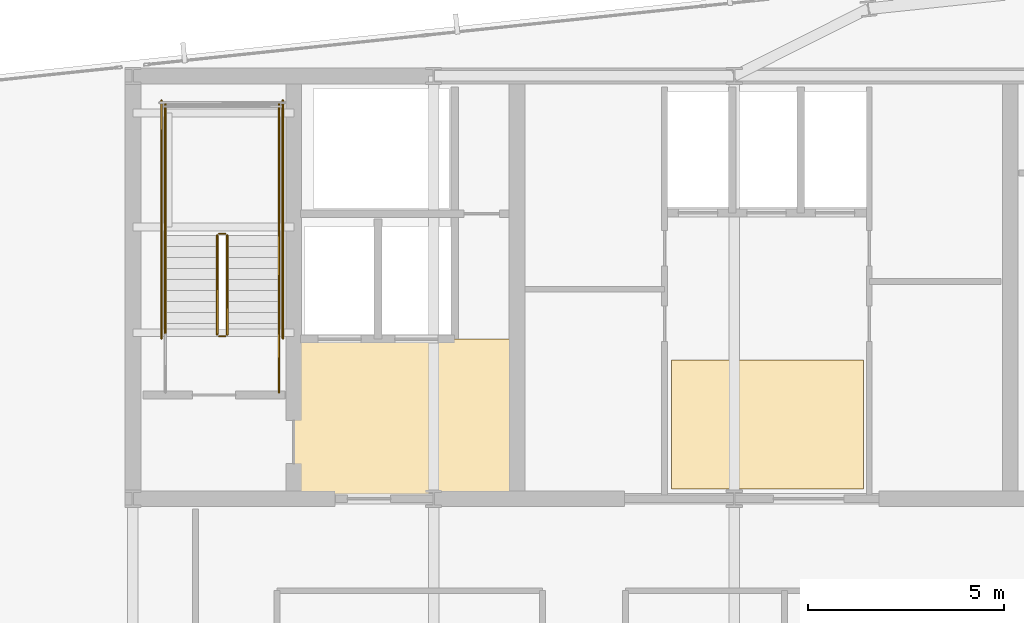
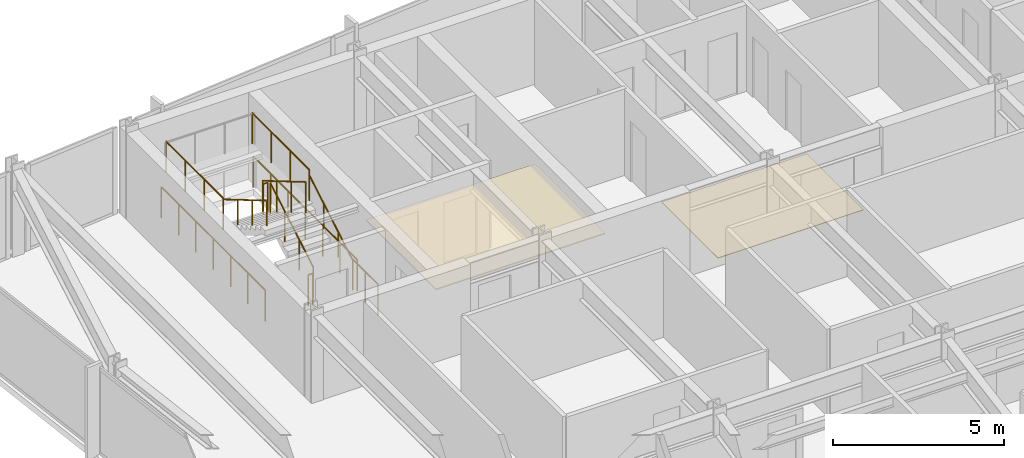
# One storey, part 31 of 33: 11 railings, 2 coverings.
"""IFC4 building model written with IfcOpenShell, lengths in metres."""

from ifc_helpers import new_model, si_unit, direction, frame, origin, origin_2d, place, context, subcontext, project, spatial, polyline, circle, outline, extrude, material, layer, layer_set, type_object, element, save


model = new_model("IFC4")

# Units and contexts
model_context = context("Model", 3, precision=1e-05, world=origin(), true_north=direction((0.0, 1.0)))
body_context = subcontext(model_context, "Body", "Model", "MODEL_VIEW")
ifc_project = project(units=[si_unit("LENGTHUNIT", "METRE"), si_unit("AREAUNIT", "SQUARE_METRE"), si_unit("VOLUMEUNIT", "CUBIC_METRE"), si_unit("PLANEANGLEUNIT", "RADIAN"), si_unit("MASSUNIT", "GRAM", prefix="KILO")], contexts=[model_context])

# Site, building, storey
site_placement = place(None, origin())
site = spatial("IfcSite", under=ifc_project, at=site_placement, CompositionType="ELEMENT")
building_placement = place(site_placement, origin())
building = spatial("IfcBuilding", under=site, at=building_placement, Name="Yelkora Congress Tower", CompositionType="ELEMENT")
storey_placement = place(building_placement, frame((0.0, 0.0, 237.5)))
storey = spatial("IfcBuildingStorey", under=building, at=storey_placement, Name="L66", CompositionType="ELEMENT", Elevation=237.5)

# Coverings
ifc_material_1 = material(Name="Perforated mineral-fibre acoustic ceiling", Category="gypsum")
ifc_layer_1 = layer(ifc_material_1, 0.0400390625)
ifc_layer_set_1 = layer_set([ifc_layer_1], Name="Perforated mineral-fibre acoustic ceiling")
covering_type_1 = type_object("IfcCoveringType", Name="COV-CEIL-ACOUSTIC-40", PredefinedType="CEILING", material=ifc_layer_set_1)
covering_1_placement = place(storey_placement, frame((0.0, 0.0, 2.39990234375)))
element("IfcCovering", 1, at=covering_1_placement, inside=storey, type_object=covering_type_1, Name="L66 Firefighting Lobby Acoustic Ceiling", PredefinedType="CEILING", context=body_context, shape_type="SweptSolid", body=[
    extrude(outline(polyline([(27.14990234375, 35.39990234375), (32.85009765625, 35.39990234375), (32.85009765625, 39.47998046875), (27.14990234375, 39.47998046875), (27.14990234375, 35.39990234375)])), origin(), (0.0, 0.0, 1.0), 0.0400390625),
])
ifc_material_2 = material(Name="Polished Anatolian grey granite tile", Category="masonry")
ifc_layer_2 = layer(ifc_material_2, 0.02001953125)
ifc_layer_set_2 = layer_set([ifc_layer_2], Name="Polished Anatolian grey granite tile")
covering_type_2 = type_object("IfcCoveringType", Name="COV-FLOOR-GRANITE-20", PredefinedType="FLOORING", material=ifc_layer_set_2)
covering_2_placement = place(storey_placement, origin())
element("IfcCovering", 2, at=covering_2_placement, inside=storey, type_object=covering_type_2, Name="L66 Lift Lobby Granite Flooring", PredefinedType="FLOORING", context=body_context, shape_type="SweptSolid", body=[
    extrude(outline(polyline([(36.800048828125, 35.64990234375), (41.699951171875, 35.64990234375), (41.699951171875, 38.949951171875), (36.800048828125, 38.949951171875), (36.800048828125, 35.64990234375)])), origin(), (0.0, 0.0, 1.0), 0.02001953125),
])

# Railings
ifc_material_3 = material(Name="Painted galvanised steel stair well guard with vertical infill", Category="steel")
ifc_layer_3 = layer(ifc_material_3, 0.06005859375)
ifc_layer_set_3 = layer_set([ifc_layer_3], Name="Painted galvanised steel stair well guard with vertical infill")
railing_type_1 = type_object("IfcRailingType", Name="RAIL-STAIR-GUARD-1120", PredefinedType="GUARDRAIL", material=ifc_layer_set_3)
railing_1_placement = place(storey_placement, frame((25.449951171875, 39.60009765625, 0.1650390625)))
element("IfcRailing", 3, at=railing_1_placement, inside=storey, type_object=railing_type_1, Name="ST-01 L66 Stair Well Guardrail 1", PredefinedType="GUARDRAIL", context=body_context, shape_type="SweptSolid", body=[
    extrude(circle(Radius=0.02392578125, at=origin_2d()), frame((0.0, 0.0, 1.09619140625), z_axis=(0.0, 0.861560626758, 0.507654692109), x_axis=(-1.0, 0.0, 0.0)), (0.0, 0.0, 1.0), 2.925048828125),
    extrude(circle(Radius=0.02099609375, at=origin_2d()), origin(), (0.0, 0.0, 1.0), 1.072021484375),
    extrude(circle(Radius=0.02099609375, at=origin_2d()), frame((0.0, 0.840087890625, 0.494873046875)), (0.0, 0.0, 1.0), 1.072021484375),
    extrude(circle(Radius=0.02099609375, at=origin_2d()), frame((0.0, 1.679931640625, 0.989990234375)), (0.0, 0.0, 1.0), 1.072021484375),
    extrude(circle(Radius=0.02099609375, at=origin_2d()), frame((0.0, 2.52001953125, 1.48486328125)), (0.0, 0.0, 1.0), 1.072021484375),
])
railing_2_placement = place(storey_placement, frame((25.39990234375, 42.169921875, 1.64990234375)))
element("IfcRailing", 4, at=railing_2_placement, inside=storey, type_object=railing_type_1, Name="ST-01 L66 Stair Well Guardrail 2", PredefinedType="GUARDRAIL", context=body_context, shape_type="SweptSolid", body=[
    extrude(circle(Radius=0.02392578125, at=origin_2d()), frame((0.0, 0.0, 1.09619140625), z_axis=(-1.0, 0.0, 0.0), x_axis=(0.0, -1.0, 0.0)), (0.0, 0.0, 1.0), 0.159912109375),
    extrude(circle(Radius=0.02099609375, at=origin_2d()), origin(), (0.0, 0.0, 1.0), 1.072021484375),
    extrude(circle(Radius=0.02099609375, at=origin_2d()), frame((-0.159912109375, 0.0, 0.0)), (0.0, 0.0, 1.0), 1.072021484375),
])
for number, where, name in (
    (5, (26.77001953125, 42.1201171875, 1.64990234375), "ST-01 L66 Stair Well Guardrail 3"),
    (6, (23.8701171875, 42.1201171875, 1.64990234375), "ST-01 L66 Stair Well Guardrail 4"),
):
    element("IfcRailing", number, at=place(storey_placement, frame(where)), inside=storey, type_object=railing_type_1, Name=name, PredefinedType="GUARDRAIL", context=body_context, shape_type="SweptSolid", body=[
        extrude(circle(Radius=0.02392578125, at=origin_2d()), frame((0.0, 0.0, 1.09619140625), z_axis=(0.0, 1.0, 0.0), x_axis=(-1.0, 0.0, 0.0)), (0.0, 0.0, 1.0), 3.349853515625),
        extrude(circle(Radius=0.02099609375, at=origin_2d()), origin(), (0.0, 0.0, 1.0), 1.072021484375),
        extrude(circle(Radius=0.02099609375, at=origin_2d()), frame((0.0, 1.11669921875, 0.0)), (0.0, 0.0, 1.0), 1.072021484375),
        extrude(circle(Radius=0.02099609375, at=origin_2d()), frame((0.0, 2.233154296875, 0.0)), (0.0, 0.0, 1.0), 1.072021484375),
        extrude(circle(Radius=0.02099609375, at=origin_2d()), frame((0.0, 3.349853515625, 0.0)), (0.0, 0.0, 1.0), 1.072021484375),
    ])
railing_3_placement = place(storey_placement, frame((25.18994140625, 42.1201171875, 1.81494140625)))
element("IfcRailing", 7, at=railing_3_placement, inside=storey, type_object=railing_type_1, Name="ST-01 L66 Stair Well Guardrail 6", PredefinedType="GUARDRAIL", context=body_context, shape_type="SweptSolid", body=[
    extrude(circle(Radius=0.02392578125, at=origin_2d()), frame((0.0, 0.0, 1.09619140625), z_axis=(0.0, -0.86152411907, 0.507716645641), x_axis=(1.0, 0.0, 0.0)), (0.0, 0.0, 1.0), 2.925048828125),
    extrude(circle(Radius=0.02099609375, at=origin_2d()), origin(), (0.0, 0.0, 1.0), 1.072021484375),
    extrude(circle(Radius=0.02099609375, at=origin_2d()), frame((0.0, -0.840087890625, 0.4951171875)), (0.0, 0.0, 1.0), 1.072021484375),
    extrude(circle(Radius=0.02099609375, at=origin_2d()), frame((0.0, -1.679931640625, 0.989990234375)), (0.0, 0.0, 1.0), 1.072021484375),
    extrude(circle(Radius=0.02099609375, at=origin_2d()), frame((0.0, -2.52001953125, 1.485107421875)), (0.0, 0.0, 1.0), 1.072021484375),
])
railing_4_placement = place(storey_placement, frame((25.39990234375, 39.550048828125, 0.0)))
element("IfcRailing", 8, at=railing_4_placement, inside=storey, type_object=railing_type_1, Name="ST-01 L66 Stair Well Guardrail 7", PredefinedType="GUARDRAIL", context=body_context, shape_type="SweptSolid", body=[
    extrude(circle(Radius=0.02392578125, at=origin_2d()), frame((0.0, 0.0, 1.09619140625), z_axis=(-1.0, 0.0, 0.0), x_axis=(0.0, -1.0, 0.0)), (0.0, 0.0, 1.0), 0.159912109375),
    extrude(circle(Radius=0.02099609375, at=origin_2d()), origin(), (0.0, 0.0, 1.0), 1.072021484375),
    extrude(circle(Radius=0.02099609375, at=origin_2d()), frame((-0.159912109375, 0.0, 0.0)), (0.0, 0.0, 1.0), 1.072021484375),
])
railing_5_placement = place(storey_placement, frame((26.77001953125, 38.1201171875, 0.0)))
element("IfcRailing", 9, at=railing_5_placement, inside=storey, type_object=railing_type_1, Name="ST-01 L66 Stair Well Guardrail 8", PredefinedType="GUARDRAIL", context=body_context, shape_type="SweptSolid", body=[
    extrude(circle(Radius=0.02392578125, at=origin_2d()), frame((0.0, 0.0, 1.09619140625), z_axis=(0.0, 1.0, 0.0), x_axis=(-1.0, 0.0, 0.0)), (0.0, 0.0, 1.0), 1.47998046875),
    extrude(circle(Radius=0.02099609375, at=origin_2d()), origin(), (0.0, 0.0, 1.0), 1.072021484375),
    extrude(circle(Radius=0.02099609375, at=origin_2d()), frame((0.0, 0.739990234375, 0.0)), (0.0, 0.0, 1.0), 1.072021484375),
    extrude(circle(Radius=0.02099609375, at=origin_2d()), frame((0.0, 1.47998046875, 0.0)), (0.0, 0.0, 1.0), 1.072021484375),
])
for number, where, name in (
    (10, (26.8701171875, 39.5, 0.0), "ST-01 L66 Stair Well Guardrail 10"),
    (11, (23.77001953125, 39.5, 0.0), "ST-01 L66 Stair Well Guardrail 11"),
):
    element("IfcRailing", number, at=place(storey_placement, frame(where)), inside=storey, type_object=railing_type_1, Name=name, PredefinedType="GUARDRAIL", context=body_context, shape_type="SweptSolid", body=[
        extrude(circle(Radius=0.02392578125, at=origin_2d()), frame((0.0, 0.0, 1.09619140625), z_axis=(0.0, 1.0, 0.0), x_axis=(-1.0, 0.0, 0.0)), (0.0, 0.0, 1.0), 6.070068359375),
        extrude(circle(Radius=0.02099609375, at=origin_2d()), origin(), (0.0, 0.0, 1.0), 1.072021484375),
        extrude(circle(Radius=0.02099609375, at=origin_2d()), frame((0.0, 1.01171875, 0.0)), (0.0, 0.0, 1.0), 1.072021484375),
        extrude(circle(Radius=0.02099609375, at=origin_2d()), frame((0.0, 2.0234375, 0.0)), (0.0, 0.0, 1.0), 1.072021484375),
        extrude(circle(Radius=0.02099609375, at=origin_2d()), frame((0.0, 3.03515625, 0.0)), (0.0, 0.0, 1.0), 1.072021484375),
        extrude(circle(Radius=0.02099609375, at=origin_2d()), frame((0.0, 4.046630859375, 0.0)), (0.0, 0.0, 1.0), 1.072021484375),
        extrude(circle(Radius=0.02099609375, at=origin_2d()), frame((0.0, 5.058349609375, 0.0)), (0.0, 0.0, 1.0), 1.072021484375),
        extrude(circle(Radius=0.02099609375, at=origin_2d()), frame((0.0, 6.070068359375, 0.0)), (0.0, 0.0, 1.0), 1.072021484375),
    ])
ifc_material_4 = material(Name="Brushed stainless steel tubular handrail", Category="steel")
ifc_layer_4 = layer(ifc_material_4, 0.050048828125)
ifc_layer_set_4 = layer_set([ifc_layer_4], Name="Brushed stainless steel tubular handrail")
railing_type_2 = type_object("IfcRailingType", Name="RAIL-STAIR-HAND-920", PredefinedType="HANDRAIL", material=ifc_layer_set_4)
railing_6_placement = place(storey_placement, frame((26.77001953125, 39.60009765625, 0.1650390625)))
element("IfcRailing", 12, at=railing_6_placement, inside=storey, type_object=railing_type_2, Name="ST-01 L66 Pitch Handrail 1", PredefinedType="HANDRAIL", context=body_context, shape_type="SweptSolid", body=[
    extrude(circle(Radius=0.02392578125, at=origin_2d()), frame((0.0, 0.0, 0.89599609375), z_axis=(0.0, 0.861560626758, 0.507654692109), x_axis=(-1.0, 0.0, 0.0)), (0.0, 0.0, 1.0), 2.925048828125),
    extrude(circle(Radius=0.02099609375, at=origin_2d()), origin(), (0.0, 0.0, 1.0), 0.871826171875),
    extrude(circle(Radius=0.02099609375, at=origin_2d()), frame((0.0, 0.840087890625, 0.494873046875)), (0.0, 0.0, 1.0), 0.871826171875),
    extrude(circle(Radius=0.02099609375, at=origin_2d()), frame((0.0, 1.679931640625, 0.989990234375)), (0.0, 0.0, 1.0), 0.871826171875),
    extrude(circle(Radius=0.02099609375, at=origin_2d()), frame((0.0, 2.52001953125, 1.48486328125)), (0.0, 0.0, 1.0), 0.871826171875),
])
railing_7_placement = place(storey_placement, frame((23.8701171875, 42.1201171875, 1.81494140625)))
element("IfcRailing", 13, at=railing_7_placement, inside=storey, type_object=railing_type_2, Name="ST-01 L66 Pitch Handrail 2", PredefinedType="HANDRAIL", context=body_context, shape_type="SweptSolid", body=[
    extrude(circle(Radius=0.02392578125, at=origin_2d()), frame((0.0, 0.0, 0.89599609375), z_axis=(0.0, -0.86152411907, 0.507716645641), x_axis=(1.0, 0.0, 0.0)), (0.0, 0.0, 1.0), 2.925048828125),
    extrude(circle(Radius=0.02099609375, at=origin_2d()), origin(), (0.0, 0.0, 1.0), 0.871826171875),
    extrude(circle(Radius=0.02099609375, at=origin_2d()), frame((0.0, -0.840087890625, 0.4951171875)), (0.0, 0.0, 1.0), 0.871826171875),
    extrude(circle(Radius=0.02099609375, at=origin_2d()), frame((0.0, -1.679931640625, 0.989990234375)), (0.0, 0.0, 1.0), 0.871826171875),
    extrude(circle(Radius=0.02099609375, at=origin_2d()), frame((0.0, -2.52001953125, 1.485107421875)), (0.0, 0.0, 1.0), 0.871826171875),
])

save(model, "model.ifc")
